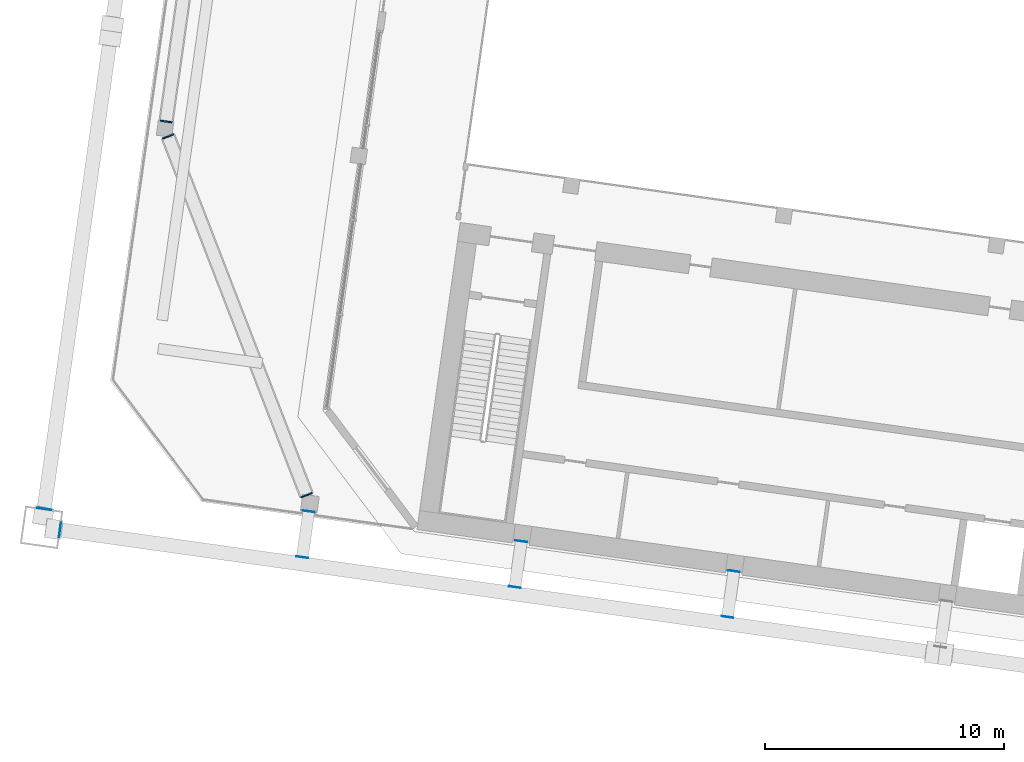
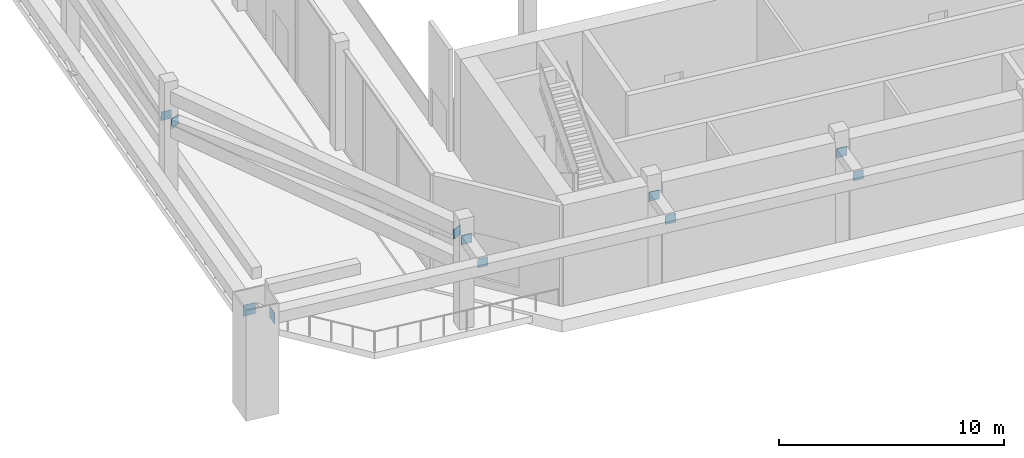
# One storey, part 29 of 41: 11 discrete accessories.
"""IFC4 building model written with IfcOpenShell, lengths in metres."""

from ifc_helpers import new_model, si_unit, direction, frame, origin, origin_2d, place, context, subcontext, project, spatial, rectangle, extrude, material, material_profile, profile_set, type_object, element, save


model = new_model("IFC4")

# Units and contexts
model_context = context("Model", 3, precision=1e-05, world=origin(), true_north=direction((0.0, 1.0)))
body_context = subcontext(model_context, "Body", "Model", "MODEL_VIEW")
ifc_project = project(units=[si_unit("LENGTHUNIT", "METRE"), si_unit("AREAUNIT", "SQUARE_METRE"), si_unit("VOLUMEUNIT", "CUBIC_METRE"), si_unit("PLANEANGLEUNIT", "RADIAN"), si_unit("MASSUNIT", "GRAM", prefix="KILO")], contexts=[model_context])

# Site, building, storey
site_placement = place(None, origin())
site = spatial("IfcSite", under=ifc_project, at=site_placement, CompositionType="ELEMENT")
building_placement = place(site_placement, origin())
building = spatial("IfcBuilding", under=site, at=building_placement, Name="Mirante Cascada Hotel Towers", CompositionType="ELEMENT")
storey_placement = place(building_placement, frame((0.0, 0.0, 92.7)))
storey = spatial("IfcBuildingStorey", under=building, at=storey_placement, Name="L20", CompositionType="ELEMENT", Elevation=92.7)

# Discrete accessories
ifc_material_1 = material(Name="Steel ASTM A572 Gr 50", Category="steel")
ifc_material_profile_1 = material_profile(ifc_material_1, rectangle(XDim=0.5, YDim=0.5, at=origin_2d()), Name="Connection plate 500x500x25 ASTM A572 Gr 50")
ifc_profile_set_1 = profile_set([ifc_material_profile_1], Name="Steel ASTM A572 Gr 50")
discrete_accessory_type_1 = type_object("IfcDiscreteAccessoryType", Name="Connection plate 500x500x25 ASTM A572 Gr 50", PredefinedType="BRACKET", material=ifc_profile_set_1)
discrete_accessory_1_placement = place(storey_placement, frame((-100.9813, 4.5347, 3.7512), z_axis=(-0.1402054, -0.9854437, -0.0961409), x_axis=(0.9900298, -0.1408579, 0.0)))
element("IfcDiscreteAccessory", 1, at=discrete_accessory_1_placement, inside=storey, type_object=discrete_accessory_type_1, Name="Connection plate BT20D", PredefinedType="BRACKET", context=body_context, shape_type="SweptSolid", body=[
    extrude(rectangle(XDim=0.5, YDim=0.5, at=origin_2d()), origin(), (0.0, 0.0, 1.0), 0.025),
])
discrete_accessory_2_placement = place(storey_placement, frame((-100.9032, 3.9036, 3.7491), z_axis=(0.360728, -0.9298765, 0.0721456), x_axis=(0.932306, 0.3616704, 0.0)))
element("IfcDiscreteAccessory", 2, at=discrete_accessory_2_placement, inside=storey, type_object=discrete_accessory_type_1, Name="Connection plate BT20D", PredefinedType="BRACKET", context=body_context, shape_type="SweptSolid", body=[
    extrude(rectangle(XDim=0.5, YDim=0.5, at=origin_2d()), origin(), (0.0, 0.0, 1.0), 0.0249),
])
discrete_accessory_3_placement = place(storey_placement, frame((-95.0962, -11.1358, 4.8491), z_axis=(0.3593881, -0.9304159, 0.0718776), x_axis=(0.9328287, 0.3603201, 0.0)))
element("IfcDiscreteAccessory", 3, at=discrete_accessory_3_placement, inside=storey, type_object=discrete_accessory_type_1, Name="Connection plate BT20D", PredefinedType="BRACKET", context=body_context, shape_type="SweptSolid", body=[
    extrude(rectangle(XDim=0.5, YDim=0.5, at=origin_2d()), origin(), (0.0, 0.0, 1.0), 0.025),
])
for number, where, z_axis, x_axis, name in (
    (4, (-77.174, -14.3221, 4.85), (-0.1402989, -0.9901092, 0.0), (0.9901092, -0.1402989, 0.0), "Connection plate TIE"),
    (5, (-77.444, -16.2432, 4.85), (-0.1402989, -0.9901092, 0.0), (0.9901092, -0.1402989, 0.0), "Connection plate TIE"),
):
    element("IfcDiscreteAccessory", number, at=place(storey_placement, frame(where, z_axis=z_axis, x_axis=x_axis)), inside=storey, type_object=discrete_accessory_type_1, Name=name, PredefinedType="BRACKET", context=body_context, shape_type="SweptSolid", body=[
        extrude(rectangle(XDim=0.5, YDim=0.5, at=origin_2d()), origin(), (0.0, 0.0, 1.0), 0.0249),
    ])
for number, where, z_axis, x_axis, name in (
    (6, (-86.0864, -13.0695, 4.85), (-0.1397442, -0.9901876, 0.0), (0.9901876, -0.1397442, 0.0), "Connection plate TIE"),
    (7, (-86.3564, -14.9906, 4.85), (-0.1397442, -0.9901876, 0.0), (0.9901876, -0.1397442, 0.0), "Connection plate TIE"),
):
    element("IfcDiscreteAccessory", number, at=place(storey_placement, frame(where, z_axis=z_axis, x_axis=x_axis)), inside=storey, type_object=discrete_accessory_type_1, Name=name, PredefinedType="BRACKET", context=body_context, shape_type="SweptSolid", body=[
        extrude(rectangle(XDim=0.5, YDim=0.5, at=origin_2d()), origin(), (0.0, 0.0, 1.0), 0.025),
    ])
for number, where, z_axis, x_axis, name in (
    (8, (-94.9988, -11.817, 4.85), (-0.1402989, -0.9901092, 0.0), (0.9901092, -0.1402989, 0.0), "Connection plate TIE"),
    (9, (-95.2688, -13.7381, 4.85), (-0.1402989, -0.9901092, 0.0), (0.9901092, -0.1402989, 0.0), "Connection plate TIE"),
):
    element("IfcDiscreteAccessory", number, at=place(storey_placement, frame(where, z_axis=z_axis, x_axis=x_axis)), inside=storey, type_object=discrete_accessory_type_1, Name=name, PredefinedType="BRACKET", context=body_context, shape_type="SweptSolid", body=[
        extrude(rectangle(XDim=0.5, YDim=0.5, at=origin_2d()), origin(), (0.0, 0.0, 1.0), 0.0249),
    ])
ifc_material_2 = material(Name="Steel ASTM A572 Gr 50", Category="steel")
ifc_material_profile_2 = material_profile(ifc_material_2, rectangle(XDim=0.6, YDim=0.6, at=origin_2d()), Name="Connection plate 600x600x25 ASTM A572 Gr 50")
ifc_profile_set_2 = profile_set([ifc_material_profile_2], Name="Steel ASTM A572 Gr 50")
discrete_accessory_type_2 = type_object("IfcDiscreteAccessoryType", Name="Connection plate 600x600x25 ASTM A572 Gr 50", PredefinedType="BRACKET", material=ifc_profile_set_2)
discrete_accessory_4_placement = place(storey_placement, frame((-105.4177, -12.6071, 4.85), z_axis=(-0.9901092, 0.1402989, 0.0), x_axis=(-0.1402989, -0.9901092, 0.0)))
element("IfcDiscreteAccessory", 10, at=discrete_accessory_4_placement, inside=storey, type_object=discrete_accessory_type_2, Name="Connection plate NCH", PredefinedType="BRACKET", context=body_context, shape_type="SweptSolid", body=[
    extrude(rectangle(XDim=0.6, YDim=0.6, at=origin_2d()), origin(), (0.0, 0.0, 1.0), 0.0249),
])
discrete_accessory_5_placement = place(storey_placement, frame((-106.0957, -11.7368, 4.85), z_axis=(0.1397442, 0.9901876, 0.0), x_axis=(-0.9901876, 0.1397442, 0.0)))
element("IfcDiscreteAccessory", 11, at=discrete_accessory_5_placement, inside=storey, type_object=discrete_accessory_type_2, Name="Connection plate NCH", PredefinedType="BRACKET", context=body_context, shape_type="SweptSolid", body=[
    extrude(rectangle(XDim=0.6, YDim=0.6, at=origin_2d()), origin(), (0.0, 0.0, 1.0), 0.025),
])

save(model, "model.ifc")
